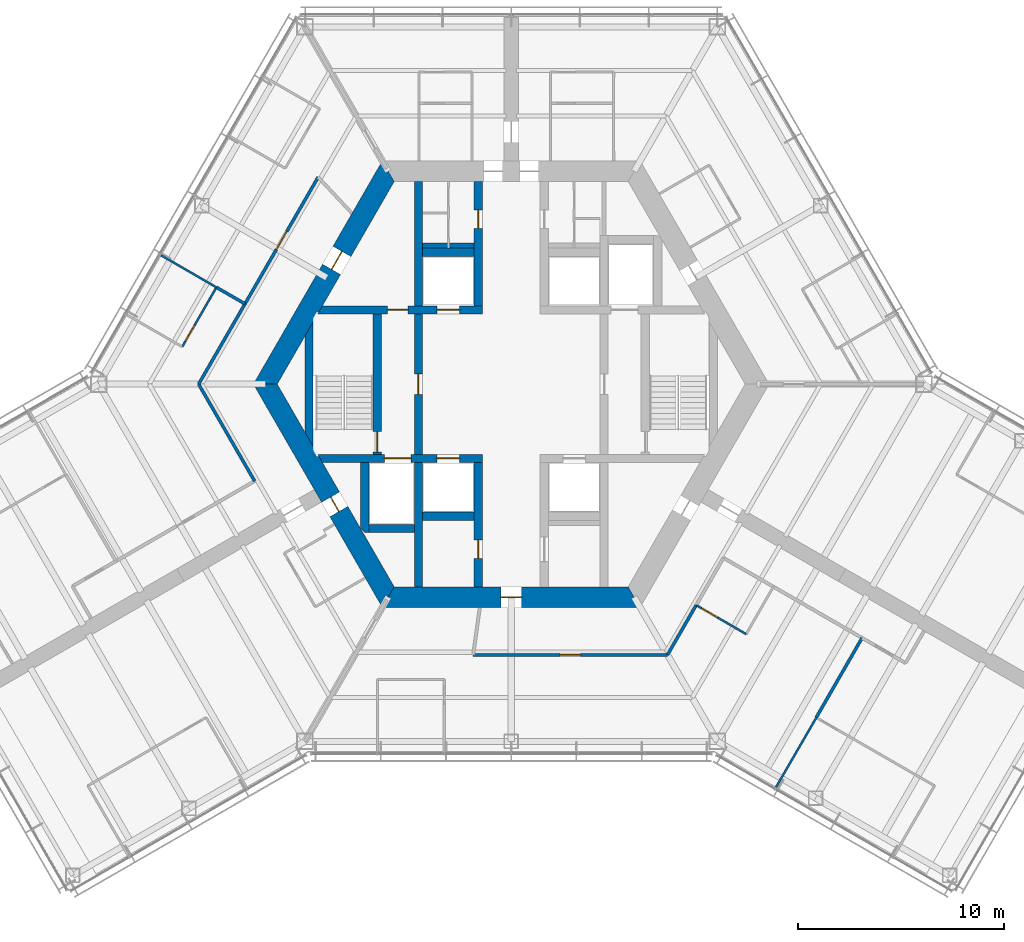
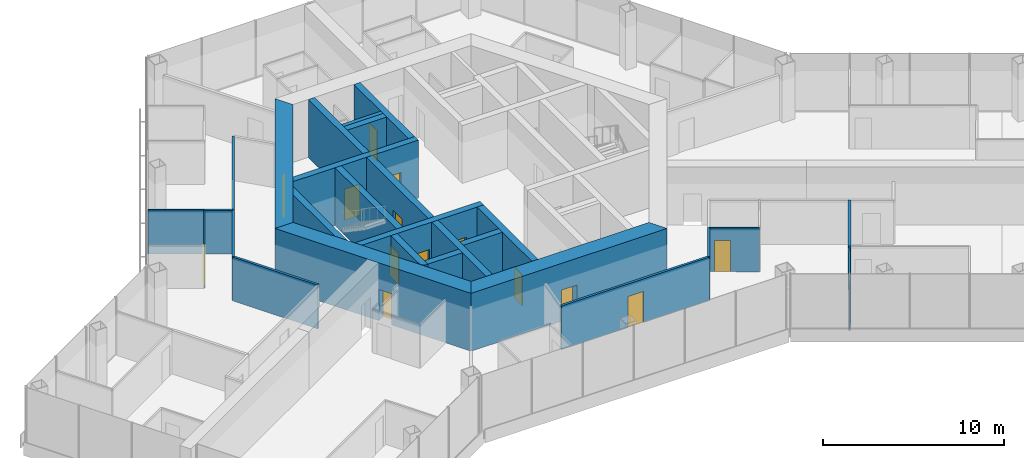
# One storey, part 12 of 18: 28 walls, 15 doors, 15 openings.
"""IFC4 building model written with IfcOpenShell, lengths in metres."""

from ifc_helpers import new_model, si_unit, direction, frame, frame_2d, origin, place, context, subcontext, project, spatial, polyline, rectangle, outline, extrude, material, layer, layer_set, type_object, element, fill, save


model = new_model("IFC4")

# Units and contexts
model_context = context("Model", 3, precision=1e-05, world=origin(), true_north=direction((0.0, 1.0)))
body_context = subcontext(model_context, "Body", "Model", "MODEL_VIEW")
ifc_project = project(units=[si_unit("LENGTHUNIT", "METRE"), si_unit("AREAUNIT", "SQUARE_METRE"), si_unit("VOLUMEUNIT", "CUBIC_METRE"), si_unit("PLANEANGLEUNIT", "RADIAN"), si_unit("MASSUNIT", "GRAM", prefix="KILO")], contexts=[model_context])

# Site, building, storey
site_placement = place(None, origin())
site = spatial("IfcSite", under=ifc_project, at=site_placement, CompositionType="ELEMENT")
building_placement = place(site_placement, origin())
building = spatial("IfcBuilding", under=site, at=building_placement, Name="Kasaneha Research Tower", CompositionType="ELEMENT")
storey_placement = place(building_placement, frame((0.0, 0.0, 140.89990234375)))
storey = spatial("IfcBuildingStorey", under=building, at=storey_placement, Name="L35", CompositionType="ELEMENT", Elevation=140.89990234375)

# Wall, openings, doors
ifc_material_1 = material(Name="Concrete Fc70", Category="concrete")
ifc_layer_1 = layer(ifc_material_1, 0.39990234375)
ifc_layer_set_1 = layer_set([ifc_layer_1], Name="Core internal wall 400 Fc70")
wall_type_1 = type_object("IfcWallType", Name="Core internal wall 400 Fc70", PredefinedType="SHEAR", material=ifc_layer_set_1)
wall_1_placement = place(storey_placement, frame((-9.266357421875, 3.60009765625, 0.0), z_axis=(0.0, 0.0, 1.0), x_axis=(1.0, 0.0, 0.0)))
wall_1 = element("IfcWall", 1, at=wall_1_placement, inside=storey, type_object=wall_type_1, Name="Core wall W1W L35", PredefinedType="SHEAR", context=body_context, shape_type="SweptSolid", body=[
    extrude(outline(polyline([(-0.115478515625, -0.199951171875), (3.266357421875, -0.199951171875), (4.266357421875, -0.199951171875), (5.66650390625, -0.199951171875), (6.7666015625, -0.199951171875), (7.866455078125, -0.199951171875), (7.866455078125, 0.199951171875), (6.7666015625, 0.199951171875), (5.66650390625, 0.199951171875), (4.266357421875, 0.199951171875), (3.266357421875, 0.199951171875), (0.115478515625, 0.199951171875), (-0.115478515625, -0.199951171875)])), origin(), (0.0, 0.0, 1.0), 3.900146484375),
])
opening_1_placement = place(wall_1_placement, frame((3.266357421875, 0.0, 0.0)))
opening_1 = element("IfcOpeningElement", 2, at=opening_1_placement, cuts=wall_1, Name="Opening L35-D12", PredefinedType="OPENING", context=body_context, shape_type="SweptSolid", body=[
    extrude(rectangle(XDim=1.0, YDim=2.10009765625, at=frame_2d((0.5, 1.050048828125))), frame((0.0, 0.2099609375, 0.0), z_axis=(0.0, -1.0, 0.0), x_axis=(1.0, 0.0, 0.0)), (0.0, 0.0, 1.0), 0.419921875),
])
opening_2_placement = place(wall_1_placement, frame((5.66650390625, 0.0, 0.0)))
opening_2 = element("IfcOpeningElement", 3, at=opening_2_placement, cuts=wall_1, Name="Opening LD-LM1-L35", PredefinedType="OPENING", context=body_context, shape_type="SweptSolid", body=[
    extrude(rectangle(XDim=1.10009765625, YDim=2.10009765625, at=frame_2d((0.550048828125, 1.050048828125))), frame((0.0, 0.2099609375, 0.0), z_axis=(0.0, -1.0, 0.0), x_axis=(1.0, 0.0, 0.0)), (0.0, 0.0, 1.0), 0.419921875),
])
ifc_material_2 = material(Name="Steel", Category="steel")
door_type_1 = type_object("IfcDoorType", Name="Lift landing door 1100x2100", OperationType="DOUBLE_DOOR_SLIDING", PredefinedType="DOOR", material=ifc_material_2)
door_1_placement = place(opening_2_placement, origin())
door_1 = element("IfcDoor", 4, at=door_1_placement, inside=storey, type_object=door_type_1, Name="Landing door LM1 LD-LM1-L35", OperationType="DOUBLE_DOOR_SLIDING", OverallHeight=2.10009765625, OverallWidth=1.10009765625, PredefinedType="DOOR", context=body_context, shape_type="SweptSolid", body=[
    extrude(rectangle(XDim=1.10009765625, YDim=2.10009765625, at=frame_2d((0.550048828125, 1.050048828125))), frame((0.0, 0.02490234375, 0.0), z_axis=(0.0, -1.0, 0.0), x_axis=(1.0, 0.0, 0.0)), (0.0, 0.0, 1.0), 0.050048828125),
])
fill(opening_2, door_1)
ifc_material_3 = material(Name="Steel", Category="steel")
door_type_2 = type_object("IfcDoorType", Name="Specified fire door FD60 1000x2100", OperationType="NOTDEFINED", PredefinedType="DOOR", material=ifc_material_3)
door_2_placement = place(opening_1_placement, origin())
door_2 = element("IfcDoor", 5, at=door_2_placement, inside=storey, type_object=door_type_2, Name="Vestibule to lobby door L35-D12", OperationType="SINGLE_SWING_LEFT", OverallHeight=2.10009765625, OverallWidth=1.0, PredefinedType="DOOR", context=body_context, shape_type="SweptSolid", body=[
    extrude(rectangle(XDim=1.0, YDim=2.10009765625, at=frame_2d((0.5, 1.050048828125))), frame((0.0, 0.02490234375, 0.0), z_axis=(0.0, -1.0, 0.0), x_axis=(1.0, 0.0, 0.0)), (0.0, 0.0, 1.0), 0.050048828125),
])
fill(opening_1, door_2)

wall_2_placement = place(storey_placement, frame((-9.266357421875, -3.60009765625, 0.0), z_axis=(0.0, 0.0, 1.0), x_axis=(1.0, 0.0, 0.0)))
wall_2 = element("IfcWall", 6, at=wall_2_placement, inside=storey, type_object=wall_type_1, Name="Core wall W2W L35", PredefinedType="SHEAR", context=body_context, shape_type="SweptSolid", body=[
    extrude(outline(polyline([(0.115478515625, -0.199951171875), (3.116455078125, -0.199951171875), (4.41650390625, -0.199951171875), (5.66650390625, -0.199951171875), (6.7666015625, -0.199951171875), (7.866455078125, -0.199951171875), (7.866455078125, 0.199951171875), (6.7666015625, 0.199951171875), (5.66650390625, 0.199951171875), (4.41650390625, 0.199951171875), (3.116455078125, 0.199951171875), (-0.115478515625, 0.199951171875), (0.115478515625, -0.199951171875)])), origin(), (0.0, 0.0, 1.0), 3.900146484375),
])
opening_3_placement = place(wall_2_placement, frame((5.66650390625, 0.0, 0.0)))
opening_3 = element("IfcOpeningElement", 7, at=opening_3_placement, cuts=wall_2, Name="Opening LD-LM3-L35", PredefinedType="OPENING", context=body_context, shape_type="SweptSolid", body=[
    extrude(rectangle(XDim=1.10009765625, YDim=2.10009765625, at=frame_2d((0.550048828125, 1.050048828125))), frame((0.0, 0.2099609375, 0.0), z_axis=(0.0, -1.0, 0.0), x_axis=(1.0, 0.0, 0.0)), (0.0, 0.0, 1.0), 0.419921875),
])
opening_4_placement = place(wall_2_placement, frame((3.116455078125, 0.0, 0.0)))
opening_4 = element("IfcOpeningElement", 8, at=opening_4_placement, cuts=wall_2, Name="Opening LD-FL2-L35", PredefinedType="OPENING", context=body_context, shape_type="SweptSolid", body=[
    extrude(rectangle(XDim=1.300048828125, YDim=2.10009765625, at=frame_2d((0.64990234375, 1.050048828125))), frame((0.0, 0.2099609375, 0.0), z_axis=(0.0, -1.0, 0.0), x_axis=(1.0, 0.0, 0.0)), (0.0, 0.0, 1.0), 0.419921875),
])
door_3_placement = place(opening_3_placement, origin())
door_3 = element("IfcDoor", 9, at=door_3_placement, inside=storey, type_object=door_type_1, Name="Landing door LM3 LD-LM3-L35", OperationType="DOUBLE_DOOR_SLIDING", OverallHeight=2.10009765625, OverallWidth=1.10009765625, PredefinedType="DOOR", context=body_context, shape_type="SweptSolid", body=[
    extrude(rectangle(XDim=1.10009765625, YDim=2.10009765625, at=frame_2d((0.550048828125, 1.050048828125))), frame((0.0, 0.02490234375, 0.0), z_axis=(0.0, -1.0, 0.0), x_axis=(1.0, 0.0, 0.0)), (0.0, 0.0, 1.0), 0.050048828125),
])
fill(opening_3, door_3)
ifc_material_4 = material(Name="Steel", Category="steel")
door_type_3 = type_object("IfcDoorType", Name="Lift landing door 1300x2100", OperationType="DOUBLE_DOOR_SLIDING", PredefinedType="DOOR", material=ifc_material_4)
door_4_placement = place(opening_4_placement, origin())
door_4 = element("IfcDoor", 10, at=door_4_placement, inside=storey, type_object=door_type_3, Name="Landing door FL2 LD-FL2-L35", OperationType="DOUBLE_DOOR_SLIDING", OverallHeight=2.10009765625, OverallWidth=1.300048828125, PredefinedType="DOOR", context=body_context, shape_type="SweptSolid", body=[
    extrude(rectangle(XDim=1.300048828125, YDim=2.10009765625, at=frame_2d((0.64990234375, 1.050048828125))), frame((0.0, 0.02490234375, 0.0), z_axis=(0.0, -1.0, 0.0), x_axis=(1.0, 0.0, 0.0)), (0.0, 0.0, 1.0), 0.050048828125),
])
fill(opening_4, door_4)

# Wall, opening, door
wall_3_placement = place(storey_placement, frame((-1.60009765625, 3.800048828125, 0.0), z_axis=(0.0, 0.0, 1.0), x_axis=(0.0, 1.0, 0.0)))
wall_3 = element("IfcWall", 11, at=wall_3_placement, inside=storey, type_object=wall_type_1, Name="Core wall CNW L35", PredefinedType="SHEAR", context=body_context, shape_type="SweptSolid", body=[
    extrude(rectangle(XDim=6.02490234375, YDim=0.39990234375, at=frame_2d((3.012451171875, 0.0))), origin(), (0.0, 0.0, 1.0), 3.900146484375),
])
opening_5_placement = place(wall_3_placement, frame((3.75, 0.0, 0.0)))
opening_5 = element("IfcOpeningElement", 12, at=opening_5_placement, cuts=wall_3, Name="Opening L35-D13", PredefinedType="OPENING", context=body_context, shape_type="SweptSolid", body=[
    extrude(rectangle(XDim=0.89990234375, YDim=2.10009765625, at=frame_2d((0.449951171875, 1.050048828125))), frame((0.0, 0.2099609375, 0.0), z_axis=(0.0, -1.0, 0.0), x_axis=(1.0, 0.0, 0.0)), (0.0, 0.0, 1.0), 0.419921875),
])
ifc_material_5 = material(Name="Steel", Category="steel")
door_type_4 = type_object("IfcDoorType", Name="Toilet door FD20 900x2100", OperationType="NOTDEFINED", PredefinedType="DOOR", material=ifc_material_5)
door_5_placement = place(opening_5_placement, origin())
door_5 = element("IfcDoor", 13, at=door_5_placement, inside=storey, type_object=door_type_4, Name="Men's WC door L35-D13", OperationType="SINGLE_SWING_LEFT", OverallHeight=2.10009765625, OverallWidth=0.89990234375, PredefinedType="DOOR", context=body_context, shape_type="SweptSolid", body=[
    extrude(rectangle(XDim=0.89990234375, YDim=2.10009765625, at=frame_2d((0.449951171875, 1.050048828125))), frame((0.0, 0.02490234375, 0.0), z_axis=(0.0, -1.0, 0.0), x_axis=(1.0, 0.0, 0.0)), (0.0, 0.0, 1.0), 0.050048828125),
])
fill(opening_5, door_5)

wall_4_placement = place(storey_placement, frame((-1.60009765625, -3.800048828125, 0.0), z_axis=(0.0, 0.0, 1.0), x_axis=(0.0, -1.0, 0.0)))
wall_4 = element("IfcWall", 14, at=wall_4_placement, inside=storey, type_object=wall_type_1, Name="Core wall CSW L35", PredefinedType="SHEAR", context=body_context, shape_type="SweptSolid", body=[
    extrude(rectangle(XDim=6.02490234375, YDim=0.39990234375, at=frame_2d((3.012451171875, 0.0))), origin(), (0.0, 0.0, 1.0), 3.900146484375),
])
opening_6_placement = place(wall_4_placement, frame((3.75, 0.0, 0.0)))
opening_6 = element("IfcOpeningElement", 15, at=opening_6_placement, cuts=wall_4, Name="Opening L35-D16", PredefinedType="OPENING", context=body_context, shape_type="SweptSolid", body=[
    extrude(rectangle(XDim=0.89990234375, YDim=2.10009765625, at=frame_2d((0.449951171875, 1.050048828125))), frame((0.0, 0.2099609375, 0.0), z_axis=(0.0, -1.0, 0.0), x_axis=(1.0, 0.0, 0.0)), (0.0, 0.0, 1.0), 0.419921875),
])
ifc_material_6 = material(Name="Steel", Category="steel")
door_type_5 = type_object("IfcDoorType", Name="Riser access door FD60 900x2100", OperationType="NOTDEFINED", PredefinedType="DOOR", material=ifc_material_6)
door_6_placement = place(opening_6_placement, origin())
door_6 = element("IfcDoor", 16, at=door_6_placement, inside=storey, type_object=door_type_5, Name="Electrical riser door L35-D16", OperationType="SINGLE_SWING_LEFT", OverallHeight=2.10009765625, OverallWidth=0.89990234375, PredefinedType="DOOR", context=body_context, shape_type="SweptSolid", body=[
    extrude(rectangle(XDim=0.89990234375, YDim=2.10009765625, at=frame_2d((0.449951171875, 1.050048828125))), frame((0.0, 0.02490234375, 0.0), z_axis=(0.0, -1.0, 0.0), x_axis=(1.0, 0.0, 0.0)), (0.0, 0.0, 1.0), 0.050048828125),
])
fill(opening_6, door_6)

wall_5_placement = place(storey_placement, frame((-4.5, -3.39990234375, 0.0), z_axis=(0.0, 0.0, 1.0), x_axis=(0.0, 1.0, 0.0)))
wall_5 = element("IfcWall", 17, at=wall_5_placement, inside=storey, type_object=wall_type_1, Name="Core wall LBW L35", PredefinedType="SHEAR", context=body_context, shape_type="SweptSolid", body=[
    extrude(rectangle(XDim=6.7998046875, YDim=0.39990234375, at=frame_2d((3.39990234375, 0.0))), origin(), (0.0, 0.0, 1.0), 3.900146484375),
])
opening_7_placement = place(wall_5_placement, frame((2.89990234375, 0.0, 0.0)))
opening_7 = element("IfcOpeningElement", 18, at=opening_7_placement, cuts=wall_5, Name="Opening L35-D09", PredefinedType="OPENING", context=body_context, shape_type="SweptSolid", body=[
    extrude(rectangle(XDim=1.0, YDim=2.10009765625, at=frame_2d((0.5, 1.050048828125))), frame((0.0, 0.2099609375, 0.0), z_axis=(0.0, -1.0, 0.0), x_axis=(1.0, 0.0, 0.0)), (0.0, 0.0, 1.0), 0.419921875),
])
door_7_placement = place(opening_7_placement, origin())
door_7 = element("IfcDoor", 19, at=door_7_placement, inside=storey, type_object=door_type_2, Name="Lift lobby door west L35-D09", OperationType="SINGLE_SWING_LEFT", OverallHeight=2.10009765625, OverallWidth=1.0, PredefinedType="DOOR", context=body_context, shape_type="SweptSolid", body=[
    extrude(rectangle(XDim=1.0, YDim=2.10009765625, at=frame_2d((0.5, 1.050048828125))), frame((0.0, 0.02490234375, 0.0), z_axis=(0.0, -1.0, 0.0), x_axis=(1.0, 0.0, 0.0)), (0.0, 0.0, 1.0), 0.050048828125),
])
fill(opening_7, door_7)

wall_6_placement = place(storey_placement, frame((-6.5, -3.39990234375, 0.0), z_axis=(0.0, 0.0, 1.0), x_axis=(0.0, 1.0, 0.0)))
wall_6 = element("IfcWall", 20, at=wall_6_placement, inside=storey, type_object=wall_type_1, Name="Core wall ANW L35", PredefinedType="SHEAR", context=body_context, shape_type="SweptSolid", body=[
    extrude(rectangle(XDim=6.7998046875, YDim=0.39990234375, at=frame_2d((3.39990234375, 0.0))), origin(), (0.0, 0.0, 1.0), 3.900146484375),
])
opening_8_placement = place(wall_6_placement, frame((0.10009765625, 0.0, 0.0)))
opening_8 = element("IfcOpeningElement", 21, at=opening_8_placement, cuts=wall_6, Name="Opening L35-D11", PredefinedType="OPENING", context=body_context, shape_type="SweptSolid", body=[
    extrude(rectangle(XDim=1.0, YDim=2.10009765625, at=frame_2d((0.5, 1.050048828125))), frame((0.0, 0.2099609375, 0.0), z_axis=(0.0, -1.0, 0.0), x_axis=(1.0, 0.0, 0.0)), (0.0, 0.0, 1.0), 0.419921875),
])
door_8_placement = place(opening_8_placement, origin())
door_8 = element("IfcDoor", 22, at=door_8_placement, inside=storey, type_object=door_type_2, Name="Stair 2 door L35-D11", OperationType="SINGLE_SWING_LEFT", OverallHeight=2.10009765625, OverallWidth=1.0, PredefinedType="DOOR", context=body_context, shape_type="SweptSolid", body=[
    extrude(rectangle(XDim=1.0, YDim=2.10009765625, at=frame_2d((0.5, 1.050048828125))), frame((0.0, 0.02490234375, 0.0), z_axis=(0.0, -1.0, 0.0), x_axis=(1.0, 0.0, 0.0)), (0.0, 0.0, 1.0), 0.050048828125),
])
fill(opening_8, door_8)

# Walls
for number, where, z_axis, x_axis, name in (
    (23, (-4.5, 3.800048828125, 0.0), (0.0, 0.0, 1.0), (0.0, 1.0, 0.0), "Core wall VNW L35"),
    (24, (-4.5, -3.800048828125, 0.0), (0.0, 0.0, 1.0), (0.0, -1.0, 0.0), "Core wall SSW L35"),
):
    element("IfcWall", number, at=place(storey_placement, frame(where, z_axis=z_axis, x_axis=x_axis)), inside=storey, type_object=wall_type_1, Name=name, PredefinedType="SHEAR", context=body_context, shape_type="SweptSolid", body=[
        extrude(rectangle(XDim=6.02490234375, YDim=0.39990234375, at=frame_2d((3.012451171875, 0.0))), origin(), (0.0, 0.0, 1.0), 3.900146484375),
    ])
for number, where, z_axis, x_axis, name in (
    (25, (-4.300048828125, 6.39990234375, 0.0), (0.0, 0.0, 1.0), (1.0, 0.0, 0.0), "Core wall N1N L35"),
    (26, (-4.300048828125, -6.39990234375, 0.0), (0.0, 0.0, 1.0), (1.0, 0.0, 0.0), "Core wall S1S L35"),
):
    element("IfcWall", number, at=place(storey_placement, frame(where, z_axis=z_axis, x_axis=x_axis)), inside=storey, type_object=wall_type_1, Name=name, PredefinedType="SHEAR", context=body_context, shape_type="SweptSolid", body=[
        extrude(rectangle(XDim=2.5, YDim=0.39990234375, at=frame_2d((1.25, 0.0))), origin(), (0.0, 0.0, 1.0), 3.900146484375),
    ])
wall_7_placement = place(storey_placement, frame((-6.89990234375, -7.0, 0.0), z_axis=(0.0, 0.0, 1.0), x_axis=(1.0, 0.0, 0.0)))
element("IfcWall", 27, at=wall_7_placement, inside=storey, type_object=wall_type_1, Name="Core wall F2S L35", PredefinedType="SHEAR", context=body_context, shape_type="SweptSolid", body=[
    extrude(rectangle(XDim=2.199951171875, YDim=0.39990234375, at=frame_2d((1.10009765625, 0.0))), origin(), (0.0, 0.0, 1.0), 3.900146484375),
])
wall_8_placement = place(storey_placement, frame((-7.10009765625, -3.800048828125, 0.0), z_axis=(0.0, 0.0, 1.0), x_axis=(0.0, -1.0, 0.0)))
element("IfcWall", 28, at=wall_8_placement, inside=storey, type_object=wall_type_1, Name="Core wall F2W L35", PredefinedType="SHEAR", context=body_context, shape_type="SweptSolid", body=[
    extrude(outline(polyline([(0.0, -0.199951171875), (3.205810546875, -0.199951171875), (3.39990234375, 0.0), (3.39990234375, 0.199951171875), (0.0, 0.199951171875), (0.0, -0.199951171875)])), origin(), (0.0, 0.0, 1.0), 3.900146484375),
])
wall_9_placement = place(storey_placement, frame((-9.807861328125, -2.662353515625, 0.0), z_axis=(0.0, 0.0, 1.0), x_axis=(0.0, 1.0, 0.0)))
element("IfcWall", 29, at=wall_9_placement, inside=storey, type_object=wall_type_1, Name="Core wall STW L35", PredefinedType="SHEAR", context=body_context, shape_type="SweptSolid", body=[
    extrude(outline(polyline([(-0.346435546875, -0.199951171875), (5.671142578125, -0.199951171875), (4.978271484375, 0.199951171875), (0.346435546875, 0.199951171875), (-0.346435546875, -0.199951171875)])), origin(), (0.0, 0.0, 1.0), 3.900146484375),
])

# Wall, opening, door
ifc_material_7 = material(Name="Concrete Fc70", Category="concrete")
ifc_layer_2 = layer(ifc_material_7, 1.0)
ifc_layer_set_2 = layer_set([ifc_layer_2], Name="Core wall 1000 Fc70")
wall_type_2 = type_object("IfcWallType", Name="Core wall 1000 Fc70", PredefinedType="SHEAR", material=ifc_layer_set_2)
wall_10_placement = place(storey_placement, frame((-5.961181640625, 10.324951171875, 0.0), z_axis=(0.0, 0.0, 1.0), x_axis=(-0.500004296715, -0.866022923061, 0.0)))
wall_10 = element("IfcWall", 30, at=wall_10_placement, inside=storey, type_object=wall_type_2, Name="Core wall 150 L35", PredefinedType="SHEAR", context=body_context, shape_type="SweptSolid", body=[
    extrude(outline(polyline([(-0.28857421875, -0.5), (4.494140625, -0.5), (5.494140625, -0.5), (12.2109375, -0.5), (11.6337890625, 0.5), (5.494140625, 0.5), (4.494140625, 0.5), (0.28857421875, 0.5), (-0.28857421875, -0.5)])), origin(), (0.0, 0.0, 1.0), 3.900146484375),
])
opening_9_placement = place(wall_10_placement, frame((4.494140625, 0.0, 0.0)))
opening_9 = element("IfcOpeningElement", 31, at=opening_9_placement, cuts=wall_10, Name="Opening L35-D07", PredefinedType="OPENING", context=body_context, shape_type="SweptSolid", body=[
    extrude(rectangle(XDim=1.0, YDim=2.10009765625, at=frame_2d((0.5, 1.050048828125))), frame((0.0, 0.510009765625, 0.0), z_axis=(0.0, -1.0, 0.0), x_axis=(1.0, 0.0, 0.0)), (0.0, 0.0, 1.0), 1.02001953125),
])
ifc_material_8 = material(Name="Steel", Category="steel")
door_type_6 = type_object("IfcDoorType", Name="Fire door FD20 1000x2100", OperationType="NOTDEFINED", PredefinedType="DOOR", material=ifc_material_8)
door_9_placement = place(opening_9_placement, origin())
door_9 = element("IfcDoor", 32, at=door_9_placement, inside=storey, type_object=door_type_6, Name="Vestibule door L35-D07", OperationType="SINGLE_SWING_LEFT", OverallHeight=2.10009765625, OverallWidth=1.0, PredefinedType="DOOR", context=body_context, shape_type="SweptSolid", body=[
    extrude(rectangle(XDim=1.0, YDim=2.10009765625, at=frame_2d((0.5, 1.050048828125))), frame((0.0, 0.02490234375, 0.0), z_axis=(0.0, -1.0, 0.0), x_axis=(1.0, 0.0, 0.0)), (0.0, 0.0, 1.0), 0.050048828125),
])
fill(opening_9, door_9)

wall_11_placement = place(storey_placement, frame((-11.92236328125, 0.0, 0.0), z_axis=(0.0, 0.0, 1.0), x_axis=(0.500004296715, -0.866022923061, 0.0)))
wall_11 = element("IfcWall", 33, at=wall_11_placement, inside=storey, type_object=wall_type_2, Name="Core wall 210 L35", PredefinedType="SHEAR", context=body_context, shape_type="SweptSolid", body=[
    extrude(outline(polyline([(-0.28857421875, -0.5), (6.3310546875, -0.5), (7.131103515625, -0.5), (12.2109375, -0.5), (11.6337890625, 0.5), (7.131103515625, 0.5), (6.3310546875, 0.5), (0.28857421875, 0.5), (-0.28857421875, -0.5)])), origin(), (0.0, 0.0, 1.0), 3.900146484375),
])
opening_10_placement = place(wall_11_placement, frame((6.3310546875, 0.0, 0.0)))
opening_10 = element("IfcOpeningElement", 34, at=opening_10_placement, cuts=wall_11, Name="Opening L35-D06", PredefinedType="OPENING", context=body_context, shape_type="SweptSolid", body=[
    extrude(rectangle(XDim=0.800048828125, YDim=2.10009765625, at=frame_2d((0.39990234375, 1.050048828125))), frame((0.0, 0.510009765625, 0.0), z_axis=(0.0, -1.0, 0.0), x_axis=(1.0, 0.0, 0.0)), (0.0, 0.0, 1.0), 1.02001953125),
])
ifc_material_9 = material(Name="Steel", Category="steel")
door_type_7 = type_object("IfcDoorType", Name="Riser access door FD60 800x2100", OperationType="NOTDEFINED", PredefinedType="DOOR", material=ifc_material_9)
door_10_placement = place(opening_10_placement, origin())
door_10 = element("IfcDoor", 35, at=door_10_placement, inside=storey, type_object=door_type_7, Name="Duct riser door L35-D06", OperationType="SINGLE_SWING_RIGHT", OverallHeight=2.10009765625, OverallWidth=0.800048828125, PredefinedType="DOOR", context=body_context, shape_type="SweptSolid", body=[
    extrude(rectangle(XDim=0.800048828125, YDim=2.10009765625, at=frame_2d((0.39990234375, 1.050048828125))), frame((0.0, 0.02490234375, 0.0), z_axis=(0.0, -1.0, 0.0), x_axis=(1.0, 0.0, 0.0)), (0.0, 0.0, 1.0), 0.050048828125),
])
fill(opening_10, door_10)

wall_12_placement = place(storey_placement, frame((-5.961181640625, -10.324951171875, 0.0), z_axis=(0.0, 0.0, 1.0), x_axis=(1.0, 0.0, 0.0)))
wall_12 = element("IfcWall", 36, at=wall_12_placement, inside=storey, type_object=wall_type_2, Name="Core wall 270 L35", PredefinedType="SHEAR", context=body_context, shape_type="SweptSolid", body=[
    extrude(outline(polyline([(-0.28857421875, -0.5), (5.461181640625, -0.5), (6.461181640625, -0.5), (12.2109375, -0.5), (11.6337890625, 0.5), (6.461181640625, 0.5), (5.461181640625, 0.5), (0.28857421875, 0.5), (-0.28857421875, -0.5)])), origin(), (0.0, 0.0, 1.0), 3.900146484375),
])
opening_11_placement = place(wall_12_placement, frame((5.461181640625, 0.0, 0.0)))
opening_11 = element("IfcOpeningElement", 37, at=opening_11_placement, cuts=wall_12, Name="Opening L35-D03", PredefinedType="OPENING", context=body_context, shape_type="SweptSolid", body=[
    extrude(rectangle(XDim=1.0, YDim=2.10009765625, at=frame_2d((0.5, 1.050048828125))), frame((0.0, 0.510009765625, 0.0), z_axis=(0.0, -1.0, 0.0), x_axis=(1.0, 0.0, 0.0)), (0.0, 0.0, 1.0), 1.02001953125),
])
door_11_placement = place(opening_11_placement, origin())
door_11 = element("IfcDoor", 38, at=door_11_placement, inside=storey, type_object=door_type_6, Name="Core door south L35-D03", OperationType="SINGLE_SWING_LEFT", OverallHeight=2.10009765625, OverallWidth=1.0, PredefinedType="DOOR", context=body_context, shape_type="SweptSolid", body=[
    extrude(rectangle(XDim=1.0, YDim=2.10009765625, at=frame_2d((0.5, 1.050048828125))), frame((0.0, 0.02490234375, 0.0), z_axis=(0.0, -1.0, 0.0), x_axis=(1.0, 0.0, 0.0)), (0.0, 0.0, 1.0), 0.050048828125),
])
fill(opening_11, door_11)

ifc_material_10 = material(Name="Gypsum board on steel studs, one layer each side", Category="steel")
ifc_layer_3 = layer(ifc_material_10, 0.10009765625)
ifc_layer_set_3 = layer_set([ifc_layer_3], Name="Office partition 100")
wall_type_3 = type_object("IfcWallType", Name="Office partition 100", PredefinedType="PARTITIONING", material=ifc_layer_set_3)
wall_13_placement = place(storey_placement, frame((-14.291015625, 4.697509765625, 0.0), z_axis=(0.0, 0.0, 1.0), x_axis=(-0.498780940327, -0.866728085138, 0.0)))
wall_13 = element("IfcWall", 39, at=wall_13_placement, inside=storey, type_object=wall_type_3, Name="Office partition FBN15 L35", PredefinedType="PARTITIONING", context=body_context, shape_type="SweptSolid", body=[
    extrude(rectangle(XDim=3.330810546875, YDim=0.10009765625, at=frame_2d((1.66552734375, 0.0))), origin(), (0.0, 0.0, 1.0), 2.9501953125),
])
opening_12_placement = place(wall_13_placement, frame((2.130859375, 0.0, 0.0)))
opening_12 = element("IfcOpeningElement", 40, at=opening_12_placement, cuts=wall_13, Name="Opening L35-D39", PredefinedType="OPENING", context=body_context, shape_type="SweptSolid", body=[
    extrude(rectangle(XDim=0.89990234375, YDim=2.10009765625, at=frame_2d((0.449951171875, 1.050048828125))), frame((0.0, 0.06005859375, 0.0), z_axis=(0.0, -1.0, 0.0), x_axis=(1.0, 0.0, 0.0)), (0.0, 0.0, 1.0), 0.1201171875),
])
ifc_material_11 = material(Name="Timber veneer", Category="wood")
door_type_8 = type_object("IfcDoorType", Name="Office door 900x2100", OperationType="SINGLE_SWING_LEFT", PredefinedType="DOOR", material=ifc_material_11)
door_12_placement = place(opening_12_placement, origin())
door_12 = element("IfcDoor", 41, at=door_12_placement, inside=storey, type_object=door_type_8, Name="Workroom door L35-D39", OperationType="SINGLE_SWING_RIGHT", OverallHeight=2.10009765625, OverallWidth=0.89990234375, PredefinedType="DOOR", context=body_context, shape_type="SweptSolid", body=[
    extrude(rectangle(XDim=0.89990234375, YDim=2.10009765625, at=frame_2d((0.449951171875, 1.050048828125))), frame((0.0, 0.02490234375, 0.0), z_axis=(0.0, -1.0, 0.0), x_axis=(1.0, 0.0, 0.0)), (0.0, 0.0, 1.0), 0.050048828125),
])
fill(opening_12, door_12)

# Wall
wall_14_placement = place(storey_placement, frame((-16.97607421875, 6.247802734375, 0.0), z_axis=(0.0, 0.0, 1.0), x_axis=(0.865232439327, -0.501370946442, 0.0)))
element("IfcWall", 42, at=wall_14_placement, inside=storey, type_object=wall_type_3, Name="Office partition FBN16 L35", PredefinedType="PARTITIONING", context=body_context, shape_type="SweptSolid", body=[
    extrude(rectangle(XDim=3.105224609375, YDim=0.10009765625, at=frame_2d((1.552734375, 0.0))), origin(), (0.0, 0.0, 1.0), 2.9501953125),
])

# Wall, opening, door
wall_15_placement = place(storey_placement, frame((11.3916015625, -12.119384765625, 0.0), z_axis=(0.0, 0.0, 1.0), x_axis=(-0.865255114713, 0.501331812737, 0.0)))
wall_15 = element("IfcWall", 43, at=wall_15_placement, inside=storey, type_object=wall_type_3, Name="Office partition FCS09 L35", PredefinedType="PARTITIONING", context=body_context, shape_type="SweptSolid", body=[
    extrude(rectangle(XDim=2.800048828125, YDim=0.10009765625, at=frame_2d((1.39990234375, 0.0))), origin(), (0.0, 0.0, 1.0), 2.9501953125),
])
opening_13_placement = place(wall_15_placement, frame((1.60009765625, 0.0, 0.0)))
opening_13 = element("IfcOpeningElement", 44, at=opening_13_placement, cuts=wall_15, Name="Opening L35-D47", PredefinedType="OPENING", context=body_context, shape_type="SweptSolid", body=[
    extrude(rectangle(XDim=0.89990234375, YDim=2.10009765625, at=frame_2d((0.449951171875, 1.050048828125))), frame((0.0, 0.06005859375, 0.0), z_axis=(0.0, -1.0, 0.0), x_axis=(1.0, 0.0, 0.0)), (0.0, 0.0, 1.0), 0.1201171875),
])
door_13_placement = place(opening_13_placement, origin())
door_13 = element("IfcDoor", 45, at=door_13_placement, inside=storey, type_object=door_type_8, Name="Pantry door L35-D47", OperationType="SINGLE_SWING_RIGHT", OverallHeight=2.10009765625, OverallWidth=0.89990234375, PredefinedType="DOOR", context=body_context, shape_type="SweptSolid", body=[
    extrude(rectangle(XDim=0.89990234375, YDim=2.10009765625, at=frame_2d((0.449951171875, 1.050048828125))), frame((0.0, 0.02490234375, 0.0), z_axis=(0.0, -1.0, 0.0), x_axis=(1.0, 0.0, 0.0)), (0.0, 0.0, 1.0), 0.050048828125),
])
fill(opening_13, door_13)

# Walls
wall_16_placement = place(storey_placement, frame((12.839599609375, -19.543212890625, 0.0), z_axis=(0.0, 0.0, 1.0), x_axis=(0.501092951989, 0.865393467428, 0.0)))
element("IfcWall", 46, at=wall_16_placement, inside=storey, type_object=wall_type_3, Name="Office partition FCS14 L35", PredefinedType="PARTITIONING", context=body_context, shape_type="SweptSolid", body=[
    extrude(rectangle(XDim=3.905029296875, YDim=0.10009765625, at=frame_2d((1.95263671875, 0.0))), origin(), (0.0, 0.0, 1.0), 2.9501953125),
])
ifc_material_12 = material(Name="Gypsum board on steel studs, two layers each side", Category="steel")
ifc_layer_4 = layer(ifc_material_12, 0.14990234375)
ifc_layer_set_4 = layer_set([ifc_layer_4], Name="Suite partition 150")
wall_type_4 = type_object("IfcWallType", Name="Suite partition 150", PredefinedType="PARTITIONING", material=ifc_layer_set_4)
wall_17_placement = place(storey_placement, frame((-15.155517578125, 0.0, 0.0), z_axis=(0.0, 0.0, 1.0), x_axis=(0.500014848696, 0.866016830716, 0.0)))
element("IfcWall", 47, at=wall_17_placement, inside=storey, type_object=wall_type_4, Name="Suite partition FBN02 L35", PredefinedType="PARTITIONING", context=body_context, shape_type="SweptSolid", body=[
    extrude(rectangle(XDim=4.505126953125, YDim=0.14990234375, at=frame_2d((2.25244140625, 0.0))), origin(), (0.0, 0.0, 1.0), 2.9501953125),
])
wall_18_placement = place(storey_placement, frame((-12.441650390625, -4.700439453125, 0.0), z_axis=(0.0, 0.0, 1.0), x_axis=(-0.500009286329, 0.866020042254, 0.0)))
element("IfcWall", 48, at=wall_18_placement, inside=storey, type_object=wall_type_4, Name="Suite partition FBN03 L35", PredefinedType="PARTITIONING", context=body_context, shape_type="SweptSolid", body=[
    extrude(rectangle(XDim=5.427734375, YDim=0.14990234375, at=frame_2d((2.7138671875, 0.0))), origin(), (0.0, 0.0, 1.0), 2.9501953125),
])

# Wall, opening, door
wall_19_placement = place(storey_placement, frame((-12.90771484375, 3.89306640625, 0.0), z_axis=(0.0, 0.0, 1.0), x_axis=(0.500006411147, 0.866021702275, 0.0)))
wall_19 = element("IfcWall", 49, at=wall_19_placement, inside=storey, type_object=wall_type_4, Name="Suite partition FBN06 L35", PredefinedType="PARTITIONING", context=body_context, shape_type="SweptSolid", body=[
    extrude(rectangle(XDim=7.09521484375, YDim=0.14990234375, at=frame_2d((3.547607421875, 0.0))), origin(), (0.0, 0.0, 1.0), 2.9501953125),
])
opening_14_placement = place(wall_19_placement, frame((3.04736328125, 0.0, 0.0)))
opening_14 = element("IfcOpeningElement", 50, at=opening_14_placement, cuts=wall_19, Name="Opening L35-D36", PredefinedType="OPENING", context=body_context, shape_type="SweptSolid", body=[
    extrude(rectangle(XDim=1.0, YDim=2.10009765625, at=frame_2d((0.5, 1.050048828125))), frame((0.0, 0.0849609375, 0.0), z_axis=(0.0, -1.0, 0.0), x_axis=(1.0, 0.0, 0.0)), (0.0, 0.0, 1.0), 0.169921875),
])
ifc_material_13 = material(Name="Steel", Category="steel")
door_type_9 = type_object("IfcDoorType", Name="Suite entrance door FD60 1000x2100", OperationType="NOTDEFINED", PredefinedType="DOOR", material=ifc_material_13)
door_14_placement = place(opening_14_placement, origin())
door_14 = element("IfcDoor", 51, at=door_14_placement, inside=storey, type_object=door_type_9, Name="Suite entrance door L35-D36", OperationType="SINGLE_SWING_LEFT", OverallHeight=2.10009765625, OverallWidth=1.0, PredefinedType="DOOR", context=body_context, shape_type="SweptSolid", body=[
    extrude(rectangle(XDim=1.0, YDim=2.10009765625, at=frame_2d((0.5, 1.050048828125))), frame((0.0, 0.02490234375, 0.0), z_axis=(0.0, -1.0, 0.0), x_axis=(1.0, 0.0, 0.0)), (0.0, 0.0, 1.0), 0.050048828125),
])
fill(opening_14, door_14)

# Wall
wall_20_placement = place(storey_placement, frame((-14.2890625, 4.69091796875, 0.0), z_axis=(0.0, 0.0, 1.0), x_axis=(0.865925490132, -0.500173015605, 0.0)))
element("IfcWall", 52, at=wall_20_placement, inside=storey, type_object=wall_type_4, Name="Suite partition FBN20 L35", PredefinedType="PARTITIONING", context=body_context, shape_type="SweptSolid", body=[
    extrude(rectangle(XDim=1.5947265625, YDim=0.14990234375, at=frame_2d((0.79736328125, 0.0))), origin(), (0.0, 0.0, 1.0), 2.9501953125),
])

# Wall, opening, door
wall_21_placement = place(storey_placement, frame((7.57763671875, -13.125, 0.0), z_axis=(0.0, 0.0, 1.0), x_axis=(-1.0, 0.0, 0.0)))
wall_21 = element("IfcWall", 53, at=wall_21_placement, inside=storey, type_object=wall_type_4, Name="Suite partition FCS04 L35", PredefinedType="PARTITIONING", context=body_context, shape_type="SweptSolid", body=[
    extrude(rectangle(XDim=9.422119140625, YDim=0.14990234375, at=frame_2d((4.7109375, 0.0))), origin(), (0.0, 0.0, 1.0), 2.9501953125),
])
opening_15_placement = place(wall_21_placement, frame((4.211181640625, 0.0, 0.0)))
opening_15 = element("IfcOpeningElement", 54, at=opening_15_placement, cuts=wall_21, Name="Opening L35-D45", PredefinedType="OPENING", context=body_context, shape_type="SweptSolid", body=[
    extrude(rectangle(XDim=1.0, YDim=2.10009765625, at=frame_2d((0.5, 1.050048828125))), frame((0.0, 0.0849609375, 0.0), z_axis=(0.0, -1.0, 0.0), x_axis=(1.0, 0.0, 0.0)), (0.0, 0.0, 1.0), 0.169921875),
])
door_15_placement = place(opening_15_placement, origin())
door_15 = element("IfcDoor", 55, at=door_15_placement, inside=storey, type_object=door_type_9, Name="Suite entrance door L35-D45", OperationType="SINGLE_SWING_LEFT", OverallHeight=2.10009765625, OverallWidth=1.0, PredefinedType="DOOR", context=body_context, shape_type="SweptSolid", body=[
    extrude(rectangle(XDim=1.0, YDim=2.10009765625, at=frame_2d((0.5, 1.050048828125))), frame((0.0, 0.02490234375, 0.0), z_axis=(0.0, -1.0, 0.0), x_axis=(1.0, 0.0, 0.0)), (0.0, 0.0, 1.0), 0.050048828125),
])
fill(opening_15, door_15)

# Walls
wall_22_placement = place(storey_placement, frame((8.96875, -10.715576171875, 0.0), z_axis=(0.0, 0.0, 1.0), x_axis=(-0.500008568482, -0.866020456713, 0.0)))
element("IfcWall", 56, at=wall_22_placement, inside=storey, type_object=wall_type_4, Name="Suite partition FCS05 L35", PredefinedType="PARTITIONING", context=body_context, shape_type="SweptSolid", body=[
    extrude(rectangle(XDim=2.7822265625, YDim=0.14990234375, at=frame_2d((1.39111328125, 0.0))), origin(), (0.0, 0.0, 1.0), 2.9501953125),
])
wall_23_placement = place(storey_placement, frame((17.0126953125, -12.305419921875, 0.0), z_axis=(0.0, 0.0, 1.0), x_axis=(-0.499081704511, -0.866554933182, 0.0)))
element("IfcWall", 57, at=wall_23_placement, inside=storey, type_object=wall_type_4, Name="Suite partition FCS17 L35", PredefinedType="PARTITIONING", context=body_context, shape_type="SweptSolid", body=[
    extrude(rectangle(XDim=4.4541015625, YDim=0.14990234375, at=frame_2d((2.22705078125, 0.0))), origin(), (0.0, 0.0, 1.0), 2.9501953125),
])
ifc_material_14 = material(Name="Concrete block lining", Category="concrete")
ifc_layer_5 = layer(ifc_material_14, 0.25)
ifc_layer_set_5 = layer_set([ifc_layer_5], Name="WC plumbing wall 250")
wall_type_5 = type_object("IfcWallType", Name="WC plumbing wall 250", PredefinedType="PLUMBINGWALL", material=ifc_layer_set_5)
wall_24_placement = place(storey_placement, frame((-4.300048828125, 6.72509765625, 0.0), z_axis=(0.0, 0.0, 1.0), x_axis=(1.0, 0.0, 0.0)))
element("IfcWall", 58, at=wall_24_placement, inside=storey, type_object=wall_type_5, Name="WC plumbing wall M L35", PredefinedType="PLUMBINGWALL", context=body_context, shape_type="SweptSolid", body=[
    extrude(rectangle(XDim=2.5, YDim=0.25, at=frame_2d((1.25, 0.0))), origin(), (0.0, 0.0, 1.0), 3.900146484375),
])

save(model, "model.ifc")
